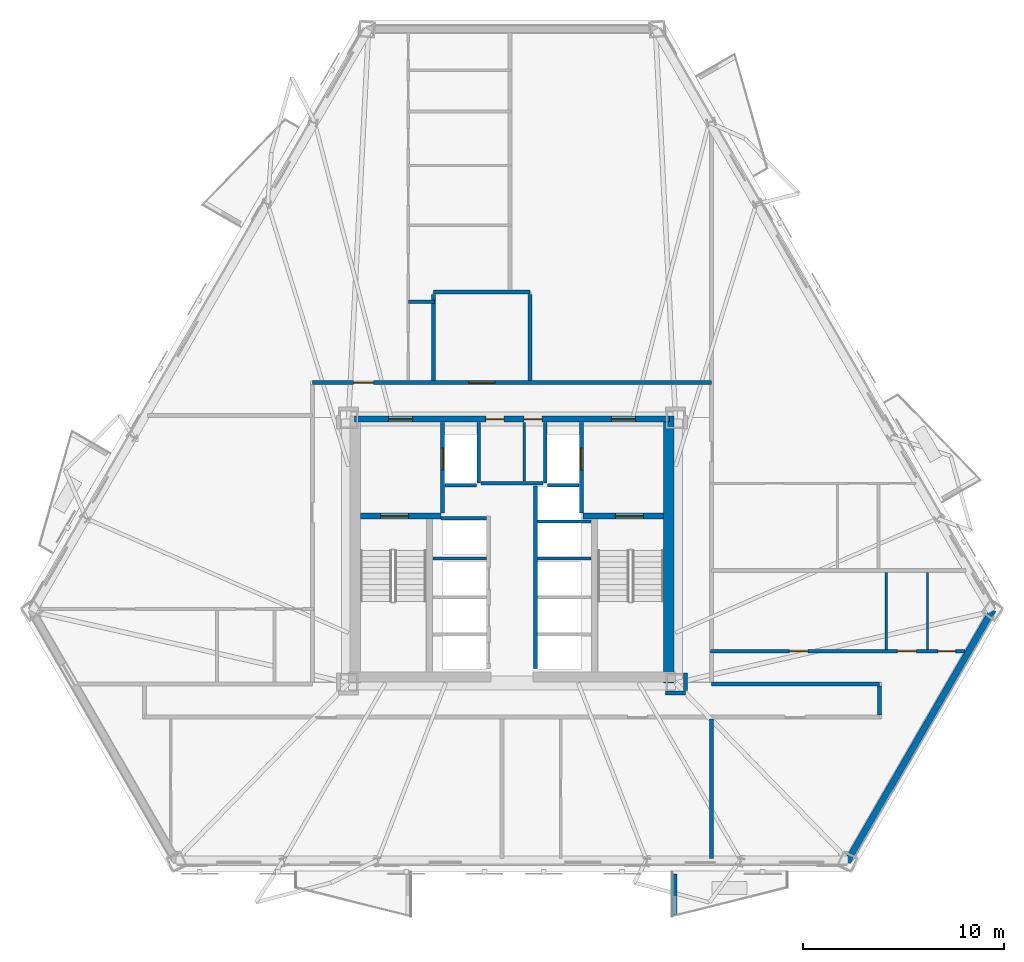
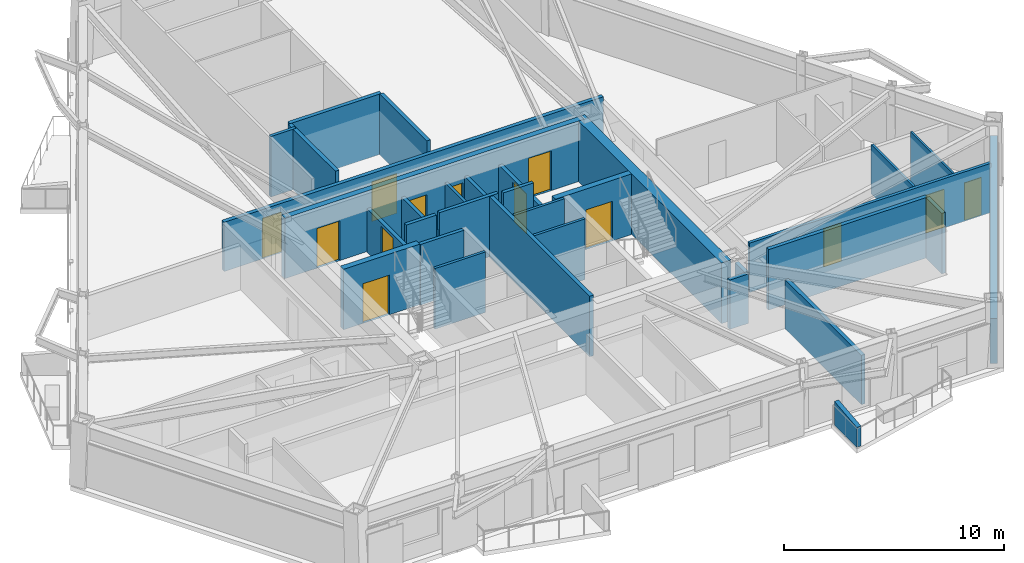
# One storey, part 4 of 10: 32 walls, 13 doors, 13 openings.
"""IFC4 building model written with IfcOpenShell, lengths in metres."""

from ifc_helpers import new_model, si_unit, direction, frame, frame_2d, origin, place, context, subcontext, project, spatial, polyline, rectangle, outline, extrude, material, layer, layer_set, type_object, element, fill, save


model = new_model("IFC4")

# Units and contexts
model_context = context("Model", 3, precision=1e-05, world=origin(), true_north=direction((0.0, 1.0)))
body_context = subcontext(model_context, "Body", "Model", "MODEL_VIEW")
ifc_project = project(units=[si_unit("LENGTHUNIT", "METRE"), si_unit("AREAUNIT", "SQUARE_METRE"), si_unit("VOLUMEUNIT", "CUBIC_METRE"), si_unit("PLANEANGLEUNIT", "RADIAN"), si_unit("MASSUNIT", "GRAM", prefix="KILO")], contexts=[model_context])

# Site, building, storey
site_placement = place(None, origin())
site = spatial("IfcSite", under=ifc_project, at=site_placement, CompositionType="ELEMENT")
building_placement = place(site_placement, origin())
building = spatial("IfcBuilding", under=site, at=building_placement, Name="Oramaril Tower", CompositionType="ELEMENT")
storey_placement = place(building_placement, frame((0.0, 0.0, 52.5)))
storey = spatial("IfcBuildingStorey", under=building, at=storey_placement, Name="L13", CompositionType="ELEMENT", Elevation=52.5)

# Walls
ifc_material_1 = material(Name="Warm Cream Limestone", Category="masonry")
ifc_layer_1 = layer(ifc_material_1, 0.340087890625)
ifc_layer_set_1 = layer_set([ifc_layer_1], Name="WT-EXT34")
wall_type_1 = type_object("IfcWallType", Name="WT-EXT34", PredefinedType="SOLIDWALL", material=ifc_layer_set_1)
wall_1_placement = place(storey_placement, frame((54.200927734375, 2.07763671875, 0.0), z_axis=(0.0, 0.0, 1.0), x_axis=(0.49999957979, 0.866025646392, 0.0)))
element("IfcWall", 1, at=wall_1_placement, inside=storey, type_object=wall_type_1, Name="L13 Tower Limestone Facade Wall 3M", PredefinedType="SOLIDWALL", context=body_context, shape_type="SweptSolid", body=[
    extrude(rectangle(XDim=14.5146484375, YDim=0.340087890625, at=frame_2d((7.25732421875, 0.0))), origin(), (0.0, 0.0, 1.0), 2.493896484375),
])
ifc_material_2 = material(Name="Concrete C40/50", Category="concrete")
ifc_layer_2 = layer(ifc_material_2, 0.22998046875)
ifc_layer_set_2 = layer_set([ifc_layer_2], Name="WT-PRP23")
wall_type_2 = type_object("IfcWallType", Name="WT-PRP23", PredefinedType="PARAPET", material=ifc_layer_set_2)
wall_2_placement = place(storey_placement, frame((45.596435546875, 1.479736328125, 0.0), z_axis=(0.0, 0.0, 1.0), x_axis=(0.0, -1.0, 0.0)))
element("IfcWall", 2, at=wall_2_placement, inside=storey, type_object=wall_type_2, Name="L13 Trapezoidal Balcony Frame Cheek L13-BAL-S2-L", PredefinedType="PARAPET", context=body_context, shape_type="SweptSolid", body=[
    extrude(outline(polyline([(0.0, 0.0), (2.0419921875, 0.0), (2.0419921875, 1.10009765625), (0.0, 1.320068359375), (0.0, 0.0)])), frame((0.0, 0.114990234375, 0.0), z_axis=(0.0, -1.0, 0.0), x_axis=(1.0, 0.0, 0.0)), (0.0, 0.0, 1.0), 0.22998046875),
])
ifc_material_3 = material(Name="Acoustic Gypsum Board Partition")
ifc_layer_3 = layer(ifc_material_3, 0.10009765625)
ifc_layer_set_3 = layer_set([ifc_layer_3], Name="WT-PT10")
wall_type_3 = type_object("IfcWallType", Name="WT-PT10", PredefinedType="PARTITIONING", material=ifc_layer_set_3)
wall_3_placement = place(storey_placement, frame((58.199951171875, 12.6640625, 0.0), z_axis=(0.0, 0.0, 1.0), x_axis=(0.0, 1.0, 0.0)))
element("IfcWall", 3, at=wall_3_placement, inside=storey, type_object=wall_type_3, Name="L13 Interior Partition PT-10", PredefinedType="PARTITIONING", context=body_context, shape_type="SweptSolid", body=[
    extrude(rectangle(XDim=3.83203125, YDim=0.10009765625, at=frame_2d((1.916015625, 0.0))), origin(), (0.0, 0.0, 1.0), 2.738037109375),
])
ifc_material_4 = material(Name="Acoustic Gypsum Board Partition")
ifc_layer_4 = layer(ifc_material_4, 0.1201171875)
ifc_layer_set_4 = layer_set([ifc_layer_4], Name="WT-PT12")
wall_type_4 = type_object("IfcWallType", Name="WT-PT12", PredefinedType="PARTITIONING", material=ifc_layer_set_4)
wall_4_placement = place(storey_placement, frame((56.14990234375, 12.6640625, 0.0), z_axis=(0.0, 0.0, 1.0), x_axis=(0.0, 1.0, 0.0)))
element("IfcWall", 4, at=wall_4_placement, inside=storey, type_object=wall_type_4, Name="L13 Interior Partition PT-12", PredefinedType="PARTITIONING", context=body_context, shape_type="SweptSolid", body=[
    extrude(rectangle(XDim=3.83203125, YDim=0.1201171875, at=frame_2d((1.916015625, 0.0))), origin(), (0.0, 0.0, 1.0), 2.738037109375),
])
ifc_material_5 = material(Name="Acoustic Gypsum Board Partition")
ifc_layer_5 = layer(ifc_material_5, 0.139892578125)
ifc_layer_set_5 = layer_set([ifc_layer_5], Name="WT-PT14")
wall_type_5 = type_object("IfcWallType", Name="WT-PT14", PredefinedType="PARTITIONING", material=ifc_layer_set_5)
for number, where, z_axis, x_axis, name in (
    (5, (33.56005859375, 17.199951171875, 0.0), (0.0, 0.0, 1.0), (1.0, 0.0, 0.0), "L13 West Lift Divider"),
    (6, (38.780029296875, 17.199951171875, 0.0), (0.0, 0.0, 1.0), (1.0, 0.0, 0.0), "L13 East Lift Divider"),
    (7, (38.780029296875, 19.050048828125, 0.0), (0.0, 0.0, 1.0), (1.0, 0.0, 0.0), "L13 East Lift Divider"),
):
    element("IfcWall", number, at=place(storey_placement, frame(where, z_axis=z_axis, x_axis=x_axis)), inside=storey, type_object=wall_type_5, Name=name, PredefinedType="PARTITIONING", context=body_context, shape_type="SweptSolid", body=[
        extrude(rectangle(XDim=2.659912109375, YDim=0.139892578125, at=frame_2d((1.330078125, 0.0))), origin(), (0.0, 0.0, 1.0), 3.360107421875),
    ])
wall_5_placement = place(storey_placement, frame((38.110107421875, 21.06005859375, 0.0), z_axis=(0.0, 0.0, 1.0), x_axis=(0.0, 1.0, 0.0)))
element("IfcWall", 8, at=wall_5_placement, inside=storey, type_object=wall_type_5, Name="L13 Core Service Divider", PredefinedType="PARTITIONING", context=body_context, shape_type="SweptSolid", body=[
    extrude(rectangle(XDim=2.919921875, YDim=0.139892578125, at=frame_2d((1.4599609375, 0.0))), origin(), (0.0, 0.0, 1.0), 2.39990234375),
])

# Wall, openings, doors
ifc_material_6 = material(Name="Acoustic Gypsum Board Partition")
ifc_layer_6 = layer(ifc_material_6, 0.159912109375)
ifc_layer_set_6 = layer_set([ifc_layer_6], Name="WT-PT16")
wall_type_6 = type_object("IfcWallType", Name="WT-PT16", PredefinedType="PARTITIONING", material=ifc_layer_set_6)
wall_6_placement = place(storey_placement, frame((47.39990234375, 12.580078125, 0.0), z_axis=(0.0, 0.0, 1.0), x_axis=(1.0, 0.0, 0.0)))
wall_6 = element("IfcWall", 9, at=wall_6_placement, inside=storey, type_object=wall_type_6, Name="L13 Interior Partition PT-16", PredefinedType="PARTITIONING", context=body_context, shape_type="SweptSolid", body=[
    extrude(rectangle(XDim=12.66357421875, YDim=0.159912109375, at=frame_2d((6.331787109375, 0.0))), origin(), (0.0, 0.0, 1.0), 2.738037109375),
])
opening_1_placement = place(wall_6_placement, frame((3.92431640625, 0.0, 0.0)))
opening_1 = element("IfcOpeningElement", 10, at=opening_1_placement, cuts=wall_6, Name="Opening D-L13-04", PredefinedType="OPENING", context=body_context, shape_type="SweptSolid", body=[
    extrude(rectangle(XDim=0.919921875, YDim=2.1201171875, at=frame_2d((0.4599609375, 1.06005859375))), frame((0.0, 0.080078125, 0.0), z_axis=(0.0, -1.0, 0.0), x_axis=(1.0, 0.0, 0.0)), (0.0, 0.0, 1.0), 0.159912109375),
])
opening_2_placement = place(wall_6_placement, frame((9.298828125, 0.0, 0.0)))
opening_2 = element("IfcOpeningElement", 11, at=opening_2_placement, cuts=wall_6, Name="Opening D-L13-05", PredefinedType="OPENING", context=body_context, shape_type="SweptSolid", body=[
    extrude(rectangle(XDim=0.949951171875, YDim=2.10009765625, at=frame_2d((0.47509765625, 1.050048828125))), frame((0.0, 0.080078125, 0.0), z_axis=(0.0, -1.0, 0.0), x_axis=(1.0, 0.0, 0.0)), (0.0, 0.0, 1.0), 0.159912109375),
])
opening_3_placement = place(wall_6_placement, frame((11.31884765625, 0.0, 0.0)))
opening_3 = element("IfcOpeningElement", 12, at=opening_3_placement, cuts=wall_6, Name="Opening D-L13-06", PredefinedType="OPENING", context=body_context, shape_type="SweptSolid", body=[
    extrude(rectangle(XDim=0.8798828125, YDim=2.080078125, at=frame_2d((0.43994140625, 1.0400390625))), frame((0.0, 0.080078125, 0.0), z_axis=(0.0, -1.0, 0.0), x_axis=(1.0, 0.0, 0.0)), (0.0, 0.0, 1.0), 0.159912109375),
])
ifc_material_7 = material(Name="FSC Brazilian Freijo Hardwood", Category="wood")
door_type_1 = type_object("IfcDoorType", Name="DT-BATH", OperationType="NOTDEFINED", PredefinedType="DOOR", material=ifc_material_7)
door_1_placement = place(opening_3_placement, origin())
door_1 = element("IfcDoor", 13, at=door_1_placement, inside=storey, type_object=door_type_1, Name="L13 Flat L13-U4 Bathroom Door D-L13-06", OperationType="SINGLE_SWING_LEFT", OverallHeight=2.080078125, OverallWidth=0.8798828125, PredefinedType="DOOR", context=body_context, shape_type="SweptSolid", body=[
    extrude(rectangle(XDim=0.8798828125, YDim=2.080078125, at=frame_2d((0.43994140625, 1.0400390625))), frame((0.0, 0.02490234375, 0.0), z_axis=(0.0, -1.0, 0.0), x_axis=(1.0, 0.0, 0.0)), (0.0, 0.0, 1.0), 0.050048828125),
])
fill(opening_3, door_1)
ifc_material_8 = material(Name="FSC Brazilian Freijo Hardwood", Category="wood")
door_type_2 = type_object("IfcDoorType", Name="DT-BED", OperationType="NOTDEFINED", PredefinedType="DOOR", material=ifc_material_8)
door_2_placement = place(opening_1_placement, origin())
door_2 = element("IfcDoor", 14, at=door_2_placement, inside=storey, type_object=door_type_2, Name="L13 Flat L13-U4 Master Bedroom Door D-L13-04", OperationType="SINGLE_SWING_LEFT", OverallHeight=2.1201171875, OverallWidth=0.919921875, PredefinedType="DOOR", context=body_context, shape_type="SweptSolid", body=[
    extrude(rectangle(XDim=0.919921875, YDim=2.1201171875, at=frame_2d((0.4599609375, 1.06005859375))), frame((0.0, 0.02490234375, 0.0), z_axis=(0.0, -1.0, 0.0), x_axis=(1.0, 0.0, 0.0)), (0.0, 0.0, 1.0), 0.050048828125),
])
fill(opening_1, door_2)
ifc_material_9 = material(Name="FSC Brazilian Freijo Hardwood", Category="wood")
door_type_3 = type_object("IfcDoorType", Name="DT-STDY", OperationType="NOTDEFINED", PredefinedType="DOOR", material=ifc_material_9)
door_3_placement = place(opening_2_placement, origin())
door_3 = element("IfcDoor", 15, at=door_3_placement, inside=storey, type_object=door_type_3, Name="L13 Flat L13-U4 Kitchen Door D-L13-05", OperationType="SINGLE_SWING_RIGHT", OverallHeight=2.10009765625, OverallWidth=0.949951171875, PredefinedType="DOOR", context=body_context, shape_type="SweptSolid", body=[
    extrude(rectangle(XDim=0.949951171875, YDim=2.10009765625, at=frame_2d((0.47509765625, 1.050048828125))), frame((0.0, 0.02490234375, 0.0), z_axis=(0.0, -1.0, 0.0), x_axis=(1.0, 0.0, 0.0)), (0.0, 0.0, 1.0), 0.050048828125),
])
fill(opening_2, door_3)

# Walls
wall_7_placement = place(storey_placement, frame((32.331787109375, 30.0, 0.0), z_axis=(0.0, 0.0, 1.0), x_axis=(1.0, 0.0, 0.0)))
element("IfcWall", 16, at=wall_7_placement, inside=storey, type_object=wall_type_6, Name="L13 Interior Partition PT-16", PredefinedType="PARTITIONING", context=body_context, shape_type="SweptSolid", body=[
    extrude(rectangle(XDim=1.318115234375, YDim=0.159912109375, at=frame_2d((0.6591796875, 0.0))), origin(), (0.0, 0.0, 1.0), 3.360107421875),
])
ifc_material_10 = material(Name="Autoclaved Cellular Concrete Block", Category="concrete")
ifc_layer_7 = layer(ifc_material_10, 0.179931640625)
ifc_layer_set_7 = layer_set([ifc_layer_7], Name="WT-PT18")
wall_type_7 = type_object("IfcWallType", Name="WT-PT18", PredefinedType="PARTITIONING", material=ifc_layer_set_7)
wall_8_placement = place(storey_placement, frame((35.840087890625, 20.9599609375, 0.0), z_axis=(0.0, 0.0, 1.0), x_axis=(0.0, 1.0, 0.0)))
element("IfcWall", 17, at=wall_8_placement, inside=storey, type_object=wall_type_7, Name="L13 FL-1 East Shaft Wall", PredefinedType="PARTITIONING", context=body_context, shape_type="SweptSolid", body=[
    extrude(rectangle(XDim=3.02001953125, YDim=0.179931640625, at=frame_2d((1.510009765625, 0.0))), origin(), (0.0, 0.0, 1.0), 2.39990234375),
])
wall_9_placement = place(storey_placement, frame((34.159912109375, 20.860107421875, 0.0), z_axis=(0.0, 0.0, 1.0), x_axis=(1.0, 0.0, 0.0)))
element("IfcWall", 18, at=wall_9_placement, inside=storey, type_object=wall_type_7, Name="L13 FL-1 South Shaft Wall", PredefinedType="PARTITIONING", context=body_context, shape_type="SweptSolid", body=[
    extrude(rectangle(XDim=1.580078125, YDim=0.179931640625, at=frame_2d((0.7900390625, 0.0))), origin(), (0.0, 0.0, 1.0), 3.360107421875),
])
wall_10_placement = place(storey_placement, frame((39.159912109375, 20.9599609375, 0.0), z_axis=(0.0, 0.0, 1.0), x_axis=(0.0, 1.0, 0.0)))
element("IfcWall", 19, at=wall_10_placement, inside=storey, type_object=wall_type_7, Name="L13 FL-2 West Shaft Wall", PredefinedType="PARTITIONING", context=body_context, shape_type="SweptSolid", body=[
    extrude(rectangle(XDim=3.02001953125, YDim=0.179931640625, at=frame_2d((1.510009765625, 0.0))), origin(), (0.0, 0.0, 1.0), 2.39990234375),
])
wall_11_placement = place(storey_placement, frame((39.260009765625, 20.860107421875, 0.0), z_axis=(0.0, 0.0, 1.0), x_axis=(1.0, 0.0, 0.0)))
element("IfcWall", 20, at=wall_11_placement, inside=storey, type_object=wall_type_7, Name="L13 FL-2 South Shaft Wall", PredefinedType="PARTITIONING", context=body_context, shape_type="SweptSolid", body=[
    extrude(rectangle(XDim=1.580078125, YDim=0.179931640625, at=frame_2d((0.7900390625, 0.0))), origin(), (0.0, 0.0, 1.0), 3.360107421875),
])
wall_12_placement = place(storey_placement, frame((33.949951171875, 19.199951171875, 0.0), z_axis=(0.0, 0.0, 1.0), x_axis=(1.0, 0.0, 0.0)))
element("IfcWall", 21, at=wall_12_placement, inside=storey, type_object=wall_type_7, Name="L13 High-Rise Lift H1 North Shaft Wall", PredefinedType="PARTITIONING", context=body_context, shape_type="SweptSolid", body=[
    extrude(rectangle(XDim=2.27001953125, YDim=0.179931640625, at=frame_2d((1.135009765625, 0.0))), origin(), (0.0, 0.0, 1.0), 3.360107421875),
])
wall_13_placement = place(storey_placement, frame((35.949951171875, 20.949951171875, 0.0), z_axis=(0.0, 0.0, 1.0), x_axis=(1.0, 0.0, 0.0)))
element("IfcWall", 22, at=wall_13_placement, inside=storey, type_object=wall_type_7, Name="L13 Lift Lobby North Partition", PredefinedType="PARTITIONING", context=body_context, shape_type="SweptSolid", body=[
    extrude(rectangle(XDim=3.10009765625, YDim=0.179931640625, at=frame_2d((1.550048828125, 0.0))), origin(), (0.0, 0.0, 1.0), 3.360107421875),
])
ifc_material_11 = material(Name="Autoclaved Cellular Concrete Block", Category="concrete")
ifc_layer_8 = layer(ifc_material_11, 0.199951171875)
ifc_layer_set_8 = layer_set([ifc_layer_8], Name="WT-PT20")
wall_type_8 = type_object("IfcWallType", Name="WT-PT20", PredefinedType="PARTITIONING", material=ifc_layer_set_8)
wall_14_placement = place(storey_placement, frame((45.159912109375, 10.510009765625, 0.0), z_axis=(0.0, 0.0, 1.0), x_axis=(1.0, 0.0, 0.0)))
element("IfcWall", 23, at=wall_14_placement, inside=storey, type_object=wall_type_8, Name="L13 Interior Partition PT-20", PredefinedType="PARTITIONING", context=body_context, shape_type="SweptSolid", body=[
    extrude(rectangle(XDim=0.97998046875, YDim=0.199951171875, at=frame_2d((0.489990234375, 0.0))), origin(), (0.0, 0.0, 1.0), 2.738037109375),
])
wall_15_placement = place(storey_placement, frame((47.449951171875, 10.949951171875, 0.0), z_axis=(0.0, 0.0, 1.0), x_axis=(1.0, 0.0, 0.0)))
element("IfcWall", 24, at=wall_15_placement, inside=storey, type_object=wall_type_8, Name="L13 Interior Partition PT-20", PredefinedType="PARTITIONING", context=body_context, shape_type="SweptSolid", body=[
    extrude(rectangle(XDim=8.35009765625, YDim=0.199951171875, at=frame_2d((4.175048828125, 0.0))), origin(), (0.0, 0.0, 1.0), 3.360107421875),
])

# Wall, openings, doors
wall_16_placement = place(storey_placement, frame((27.550048828125, 25.969970703125, 0.0), z_axis=(0.0, 0.0, 1.0), x_axis=(1.0, 0.0, 0.0)))
wall_16 = element("IfcWall", 25, at=wall_16_placement, inside=storey, type_object=wall_type_8, Name="L13 Interior Partition PT-20", PredefinedType="PARTITIONING", context=body_context, shape_type="SweptSolid", body=[
    extrude(rectangle(XDim=19.89990234375, YDim=0.199951171875, at=frame_2d((9.949951171875, 0.0))), origin(), (0.0, 0.0, 1.0), 2.738037109375),
])
opening_4_placement = place(wall_16_placement, frame((2.0595703125, 0.0, 0.0)))
opening_4 = element("IfcOpeningElement", 26, at=opening_4_placement, cuts=wall_16, Name="Opening D-L13-13", PredefinedType="OPENING", context=body_context, shape_type="SweptSolid", body=[
    extrude(rectangle(XDim=1.0, YDim=2.179931640625, at=frame_2d((0.5, 1.08984375))), frame((0.0, 0.10009765625, 0.0), z_axis=(0.0, -1.0, 0.0), x_axis=(1.0, 0.0, 0.0)), (0.0, 0.0, 1.0), 0.199951171875),
])
opening_5_placement = place(wall_16_placement, frame((7.800048828125, 0.0, 0.0)))
opening_5 = element("IfcOpeningElement", 27, at=opening_5_placement, cuts=wall_16, Name="Opening D-L13-14", PredefinedType="OPENING", context=body_context, shape_type="SweptSolid", body=[
    extrude(rectangle(XDim=1.300048828125, YDim=2.199951171875, at=frame_2d((0.64990234375, 1.10009765625))), frame((0.0, 0.10009765625, 0.0), z_axis=(0.0, -1.0, 0.0), x_axis=(1.0, 0.0, 0.0)), (0.0, 0.0, 1.0), 0.199951171875),
])
ifc_material_12 = material(Name="FSC Brazilian Freijo Hardwood", Category="wood")
door_type_4 = type_object("IfcDoorType", Name="DT-APT", OperationType="NOTDEFINED", PredefinedType="DOOR", material=ifc_material_12)
door_4_placement = place(opening_4_placement, origin())
door_4 = element("IfcDoor", 28, at=door_4_placement, inside=storey, type_object=door_type_4, Name="L13 Flat L13-U6 Penthouse Living and Dining Room Door D-L13-13", OperationType="SINGLE_SWING_RIGHT", OverallHeight=2.179931640625, OverallWidth=1.0, PredefinedType="DOOR", context=body_context, shape_type="SweptSolid", body=[
    extrude(rectangle(XDim=1.0, YDim=2.179931640625, at=frame_2d((0.5, 1.08984375))), frame((0.0, 0.02490234375, 0.0), z_axis=(0.0, -1.0, 0.0), x_axis=(1.0, 0.0, 0.0)), (0.0, 0.0, 1.0), 0.050048828125),
])
fill(opening_4, door_4)
ifc_material_13 = material(Name="FSC Brazilian Freijo Hardwood", Category="wood")
door_type_5 = type_object("IfcDoorType", Name="DT-COM", OperationType="NOTDEFINED", PredefinedType="DOOR", material=ifc_material_13)
door_5_placement = place(opening_5_placement, origin())
door_5 = element("IfcDoor", 29, at=door_5_placement, inside=storey, type_object=door_type_5, Name="L13 L13 Residents Reading Library Door D-L13-14", OperationType="SINGLE_SWING_LEFT", OverallHeight=2.199951171875, OverallWidth=1.300048828125, PredefinedType="DOOR", context=body_context, shape_type="SweptSolid", body=[
    extrude(rectangle(XDim=1.300048828125, YDim=2.199951171875, at=frame_2d((0.64990234375, 1.10009765625))), frame((0.0, 0.02490234375, 0.0), z_axis=(0.0, -1.0, 0.0), x_axis=(1.0, 0.0, 0.0)), (0.0, 0.0, 1.0), 0.050048828125),
])
fill(opening_5, door_5)

# Walls
wall_17_placement = place(storey_placement, frame((33.60009765625, 30.469970703125, 0.0), z_axis=(0.0, 0.0, 1.0), x_axis=(1.0, 0.0, 0.0)))
element("IfcWall", 30, at=wall_17_placement, inside=storey, type_object=wall_type_8, Name="L13 Interior Partition PT-20", PredefinedType="PARTITIONING", context=body_context, shape_type="SweptSolid", body=[
    extrude(rectangle(XDim=4.7998046875, YDim=0.199951171875, at=frame_2d((2.39990234375, 0.0))), origin(), (0.0, 0.0, 1.0), 3.360107421875),
])
for number, where, z_axis, x_axis, name in (
    (31, (33.60009765625, 26.073974609375, 0.0), (0.0, 0.0, 1.0), (0.0, 1.0, 0.0), "L13 Interior Partition PT-20"),
    (32, (38.39990234375, 26.073974609375, 0.0), (0.0, 0.0, 1.0), (0.0, 1.0, 0.0), "L13 Interior Partition PT-20"),
):
    element("IfcWall", number, at=place(storey_placement, frame(where, z_axis=z_axis, x_axis=x_axis)), inside=storey, type_object=wall_type_8, Name=name, PredefinedType="PARTITIONING", context=body_context, shape_type="SweptSolid", body=[
        extrude(rectangle(XDim=4.2919921875, YDim=0.199951171875, at=frame_2d((2.14599609375, 0.0))), origin(), (0.0, 0.0, 1.0), 3.360107421875),
    ])
wall_18_placement = place(storey_placement, frame((46.14990234375, 10.614013671875, 0.0), z_axis=(0.0, 0.0, 1.0), x_axis=(0.0, 1.0, 0.0)))
element("IfcWall", 33, at=wall_18_placement, inside=storey, type_object=wall_type_8, Name="L13 Interior Partition PT-20", PredefinedType="PARTITIONING", context=body_context, shape_type="SweptSolid", body=[
    extrude(rectangle(XDim=0.881103515625, YDim=0.199951171875, at=frame_2d((0.4404296875, 0.0))), origin(), (0.0, 0.0, 1.0), 2.738037109375),
])
wall_19_placement = place(storey_placement, frame((47.449951171875, 2.251708984375, 0.0), z_axis=(0.0, 0.0, 1.0), x_axis=(0.0, 1.0, 0.0)))
element("IfcWall", 34, at=wall_19_placement, inside=storey, type_object=wall_type_8, Name="L13 Interior Partition PT-20", PredefinedType="PARTITIONING", context=body_context, shape_type="SweptSolid", body=[
    extrude(rectangle(XDim=6.9443359375, YDim=0.199951171875, at=frame_2d((3.47216796875, 0.0))), origin(), (0.0, 0.0, 1.0), 2.738037109375),
])
wall_20_placement = place(storey_placement, frame((55.800048828125, 9.404052734375, 0.0), z_axis=(0.0, 0.0, 1.0), x_axis=(0.0, 1.0, 0.0)))
element("IfcWall", 35, at=wall_20_placement, inside=storey, type_object=wall_type_8, Name="L13 Interior Partition PT-20", PredefinedType="PARTITIONING", context=body_context, shape_type="SweptSolid", body=[
    extrude(rectangle(XDim=1.44189453125, YDim=0.199951171875, at=frame_2d((0.720947265625, 0.0))), origin(), (0.0, 0.0, 1.0), 3.360107421875),
])

# Wall, openings, doors
ifc_material_14 = material(Name="Concrete C50/60", Category="concrete")
ifc_layer_9 = layer(ifc_material_14, 0.300048828125)
ifc_layer_set_9 = layer_set([ifc_layer_9], Name="WT-SH30")
wall_type_9 = type_object("IfcWallType", Name="WT-SH30", PredefinedType="SHEAR", material=ifc_layer_set_9)
wall_21_placement = place(storey_placement, frame((29.64990234375, 24.14990234375, 0.0), z_axis=(0.0, 0.0, 1.0), x_axis=(1.0, 0.0, 0.0)))
wall_21 = element("IfcWall", 36, at=wall_21_placement, inside=storey, type_object=wall_type_9, Name="L13 Core Shear Wall CW-N", PredefinedType="SHEAR", context=body_context, shape_type="SweptSolid", body=[
    extrude(rectangle(XDim=15.7001953125, YDim=0.300048828125, at=frame_2d((7.85009765625, 0.0))), origin(), (0.0, 0.0, 1.0), 3.360107421875),
])
opening_6_placement = place(wall_21_placement, frame((1.699951171875, 0.0, 0.0)))
opening_6 = element("IfcOpeningElement", 37, at=opening_6_placement, cuts=wall_21, Name="Opening D-L13-FFL1", PredefinedType="OPENING", context=body_context, shape_type="SweptSolid", body=[
    extrude(rectangle(XDim=1.199951171875, YDim=2.199951171875, at=frame_2d((0.60009765625, 1.10009765625))), frame((0.0, 0.14990234375, 0.0), z_axis=(0.0, -1.0, 0.0), x_axis=(1.0, 0.0, 0.0)), (0.0, 0.0, 1.0), 0.300048828125),
])
opening_7_placement = place(wall_21_placement, frame((12.800048828125, 0.0, 0.0)))
opening_7 = element("IfcOpeningElement", 38, at=opening_7_placement, cuts=wall_21, Name="Opening D-L13-FFL2", PredefinedType="OPENING", context=body_context, shape_type="SweptSolid", body=[
    extrude(rectangle(XDim=1.199951171875, YDim=2.199951171875, at=frame_2d((0.60009765625, 1.10009765625))), frame((0.0, 0.14990234375, 0.0), z_axis=(0.0, -1.0, 0.0), x_axis=(1.0, 0.0, 0.0)), (0.0, 0.0, 1.0), 0.300048828125),
])
opening_8_placement = place(wall_21_placement, frame((6.550048828125, 0.0, 0.0)))
opening_8 = element("IfcOpeningElement", 39, at=opening_8_placement, cuts=wall_21, Name="Opening D-L13-SV1", PredefinedType="OPENING", context=body_context, shape_type="SweptSolid", body=[
    extrude(rectangle(XDim=0.89990234375, YDim=2.050048828125, at=frame_2d((0.449951171875, 1.02490234375))), frame((0.0, 0.14990234375, 0.0), z_axis=(0.0, -1.0, 0.0), x_axis=(1.0, 0.0, 0.0)), (0.0, 0.0, 1.0), 0.300048828125),
])
opening_9_placement = place(wall_21_placement, frame((8.449951171875, 0.0, 0.0)))
opening_9 = element("IfcOpeningElement", 40, at=opening_9_placement, cuts=wall_21, Name="Opening D-L13-SV2", PredefinedType="OPENING", context=body_context, shape_type="SweptSolid", body=[
    extrude(rectangle(XDim=0.89990234375, YDim=2.050048828125, at=frame_2d((0.449951171875, 1.02490234375))), frame((0.0, 0.14990234375, 0.0), z_axis=(0.0, -1.0, 0.0), x_axis=(1.0, 0.0, 0.0)), (0.0, 0.0, 1.0), 0.300048828125),
])
ifc_material_15 = material(Name="Painted Galvanised Steel", Category="steel")
door_type_6 = type_object("IfcDoorType", Name="DT-FFL", OperationType="NOTDEFINED", PredefinedType="DOOR", material=ifc_material_15)
door_6_placement = place(opening_6_placement, origin())
door_6 = element("IfcDoor", 41, at=door_6_placement, inside=storey, type_object=door_type_6, Name="L13 Firefighting Lobby 1 Fire Door", OperationType="SINGLE_SWING_LEFT", OverallHeight=2.199951171875, OverallWidth=1.199951171875, PredefinedType="DOOR", context=body_context, shape_type="SweptSolid", body=[
    extrude(rectangle(XDim=1.199951171875, YDim=2.199951171875, at=frame_2d((0.60009765625, 1.10009765625))), frame((0.0, 0.02490234375, 0.0), z_axis=(0.0, -1.0, 0.0), x_axis=(1.0, 0.0, 0.0)), (0.0, 0.0, 1.0), 0.050048828125),
])
fill(opening_6, door_6)
door_7_placement = place(opening_7_placement, origin())
door_7 = element("IfcDoor", 42, at=door_7_placement, inside=storey, type_object=door_type_6, Name="L13 Firefighting Lobby 2 Fire Door", OperationType="SINGLE_SWING_RIGHT", OverallHeight=2.199951171875, OverallWidth=1.199951171875, PredefinedType="DOOR", context=body_context, shape_type="SweptSolid", body=[
    extrude(rectangle(XDim=1.199951171875, YDim=2.199951171875, at=frame_2d((0.60009765625, 1.10009765625))), frame((0.0, 0.02490234375, 0.0), z_axis=(0.0, -1.0, 0.0), x_axis=(1.0, 0.0, 0.0)), (0.0, 0.0, 1.0), 0.050048828125),
])
fill(opening_7, door_7)
ifc_material_16 = material(Name="Painted Galvanised Steel", Category="steel")
door_type_7 = type_object("IfcDoorType", Name="DT-SVC", OperationType="NOTDEFINED", PredefinedType="DOOR", material=ifc_material_16)
door_8_placement = place(opening_8_placement, origin())
door_8 = element("IfcDoor", 43, at=door_8_placement, inside=storey, type_object=door_type_7, Name="L13 Core Service Store 1 Door", OperationType="SINGLE_SWING_LEFT", OverallHeight=2.050048828125, OverallWidth=0.89990234375, PredefinedType="DOOR", context=body_context, shape_type="SweptSolid", body=[
    extrude(rectangle(XDim=0.89990234375, YDim=2.050048828125, at=frame_2d((0.449951171875, 1.02490234375))), frame((0.0, 0.02490234375, 0.0), z_axis=(0.0, -1.0, 0.0), x_axis=(1.0, 0.0, 0.0)), (0.0, 0.0, 1.0), 0.050048828125),
])
fill(opening_8, door_8)
door_9_placement = place(opening_9_placement, origin())
door_9 = element("IfcDoor", 44, at=door_9_placement, inside=storey, type_object=door_type_7, Name="L13 Core Service Store 2 Door", OperationType="SINGLE_SWING_RIGHT", OverallHeight=2.050048828125, OverallWidth=0.89990234375, PredefinedType="DOOR", context=body_context, shape_type="SweptSolid", body=[
    extrude(rectangle(XDim=0.89990234375, YDim=2.050048828125, at=frame_2d((0.449951171875, 1.02490234375))), frame((0.0, 0.02490234375, 0.0), z_axis=(0.0, -1.0, 0.0), x_axis=(1.0, 0.0, 0.0)), (0.0, 0.0, 1.0), 0.050048828125),
])
fill(opening_9, door_9)

# Wall, opening, door
wall_22_placement = place(storey_placement, frame((29.93994140625, 19.31005859375, 0.0), z_axis=(0.0, 0.0, 1.0), x_axis=(1.0, 0.0, 0.0)))
wall_22 = element("IfcWall", 45, at=wall_22_placement, inside=storey, type_object=wall_type_9, Name="L13 Core Shear Wall CW-ST1N", PredefinedType="SHEAR", context=body_context, shape_type="SweptSolid", body=[
    extrude(rectangle(XDim=4.010009765625, YDim=0.300048828125, at=frame_2d((2.0048828125, 0.0))), origin(), (0.0, 0.0, 1.0), 3.360107421875),
])
opening_10_placement = place(wall_22_placement, frame((1.010009765625, 0.0, 0.0)))
opening_10 = element("IfcOpeningElement", 46, at=opening_10_placement, cuts=wall_22, Name="Opening D-L13-ST1", PredefinedType="OPENING", context=body_context, shape_type="SweptSolid", body=[
    extrude(rectangle(XDim=1.39990234375, YDim=2.199951171875, at=frame_2d((0.699951171875, 1.10009765625))), frame((0.0, 0.14990234375, 0.0), z_axis=(0.0, -1.0, 0.0), x_axis=(1.0, 0.0, 0.0)), (0.0, 0.0, 1.0), 0.300048828125),
])
ifc_material_17 = material(Name="Painted Galvanised Steel", Category="steel")
door_type_8 = type_object("IfcDoorType", Name="DT-ST", OperationType="NOTDEFINED", PredefinedType="DOOR", material=ifc_material_17)
door_10_placement = place(opening_10_placement, origin())
door_10 = element("IfcDoor", 47, at=door_10_placement, inside=storey, type_object=door_type_8, Name="L13 Protected Stair ST-1 Fire Door", OperationType="SINGLE_SWING_LEFT", OverallHeight=2.199951171875, OverallWidth=1.39990234375, PredefinedType="DOOR", context=body_context, shape_type="SweptSolid", body=[
    extrude(rectangle(XDim=1.39990234375, YDim=2.199951171875, at=frame_2d((0.699951171875, 1.10009765625))), frame((0.0, 0.02490234375, 0.0), z_axis=(0.0, -1.0, 0.0), x_axis=(1.0, 0.0, 0.0)), (0.0, 0.0, 1.0), 0.050048828125),
])
fill(opening_10, door_10)

wall_23_placement = place(storey_placement, frame((41.050048828125, 19.31005859375, 0.0), z_axis=(0.0, 0.0, 1.0), x_axis=(1.0, 0.0, 0.0)))
wall_23 = element("IfcWall", 48, at=wall_23_placement, inside=storey, type_object=wall_type_9, Name="L13 Core Shear Wall CW-ST2N", PredefinedType="SHEAR", context=body_context, shape_type="SweptSolid", body=[
    extrude(rectangle(XDim=4.010009765625, YDim=0.300048828125, at=frame_2d((2.0048828125, 0.0))), origin(), (0.0, 0.0, 1.0), 3.360107421875),
])
opening_11_placement = place(wall_23_placement, frame((1.60009765625, 0.0, 0.0)))
opening_11 = element("IfcOpeningElement", 49, at=opening_11_placement, cuts=wall_23, Name="Opening D-L13-ST2", PredefinedType="OPENING", context=body_context, shape_type="SweptSolid", body=[
    extrude(rectangle(XDim=1.39990234375, YDim=2.199951171875, at=frame_2d((0.699951171875, 1.10009765625))), frame((0.0, 0.14990234375, 0.0), z_axis=(0.0, -1.0, 0.0), x_axis=(1.0, 0.0, 0.0)), (0.0, 0.0, 1.0), 0.300048828125),
])
door_11_placement = place(opening_11_placement, origin())
door_11 = element("IfcDoor", 50, at=door_11_placement, inside=storey, type_object=door_type_8, Name="L13 Protected Stair ST-2 Fire Door", OperationType="SINGLE_SWING_RIGHT", OverallHeight=2.199951171875, OverallWidth=1.39990234375, PredefinedType="DOOR", context=body_context, shape_type="SweptSolid", body=[
    extrude(rectangle(XDim=1.39990234375, YDim=2.199951171875, at=frame_2d((0.699951171875, 1.10009765625))), frame((0.0, 0.02490234375, 0.0), z_axis=(0.0, -1.0, 0.0), x_axis=(1.0, 0.0, 0.0)), (0.0, 0.0, 1.0), 0.050048828125),
])
fill(opening_11, door_11)

# Wall
ifc_material_18 = material(Name="Concrete C50/60", Category="concrete")
ifc_layer_10 = layer(ifc_material_18, 0.5)
ifc_layer_set_10 = layer_set([ifc_layer_10], Name="WT-SH50")
wall_type_10 = type_object("IfcWallType", Name="WT-SH50", PredefinedType="SHEAR", material=ifc_layer_set_10)
wall_24_placement = place(storey_placement, frame((45.31005859375, 11.0, 0.0), z_axis=(0.0, 0.0, 1.0), x_axis=(0.0, 1.0, 0.0)))
element("IfcWall", 51, at=wall_24_placement, inside=storey, type_object=wall_type_10, Name="L13 Core Shear Wall CW-E", PredefinedType="SHEAR", context=body_context, shape_type="SweptSolid", body=[
    extrude(rectangle(XDim=13.300048828125, YDim=0.5, at=frame_2d((6.64990234375, 0.0))), origin(), (0.0, 0.0, 1.0), 3.360107421875),
])

# Wall, opening, door
ifc_material_19 = material(Name="Autoclaved Cellular Concrete Block", Category="concrete")
ifc_layer_11 = layer(ifc_material_19, 0.199951171875)
ifc_layer_set_11 = layer_set([ifc_layer_11], Name="WT-SHF20")
wall_type_11 = type_object("IfcWallType", Name="WT-SHF20", PredefinedType="PARTITIONING", material=ifc_layer_set_11)
wall_25_placement = place(storey_placement, frame((34.0400390625, 19.47998046875, 0.0), z_axis=(0.0, 0.0, 1.0), x_axis=(0.0, 1.0, 0.0)))
wall_25 = element("IfcWall", 52, at=wall_25_placement, inside=storey, type_object=wall_type_11, Name="L13 FL-1 Lobby Shaft Wall", PredefinedType="PARTITIONING", context=body_context, shape_type="SweptSolid", body=[
    extrude(rectangle(XDim=4.5, YDim=0.199951171875, at=frame_2d((2.25, 0.0))), origin(), (0.0, 0.0, 1.0), 2.39990234375),
])
opening_12_placement = place(wall_25_placement, frame((2.1201171875, 0.0, 0.0)))
opening_12 = element("IfcOpeningElement", 53, at=opening_12_placement, cuts=wall_25, Name="Opening LD-L13-FL-1", PredefinedType="OPENING", context=body_context, shape_type="SweptSolid", body=[
    extrude(rectangle(XDim=1.10009765625, YDim=2.199951171875, at=frame_2d((0.550048828125, 1.10009765625))), frame((0.0, 0.10009765625, 0.0), z_axis=(0.0, -1.0, 0.0), x_axis=(1.0, 0.0, 0.0)), (0.0, 0.0, 1.0), 0.199951171875),
])
ifc_material_20 = material(Name="Stainless Steel 316L", Category="steel")
door_type_9 = type_object("IfcDoorType", Name="DT-LD1", OperationType="NOTDEFINED", PredefinedType="DOOR", material=ifc_material_20)
door_12_placement = place(opening_12_placement, origin())
door_12 = element("IfcDoor", 54, at=door_12_placement, inside=storey, type_object=door_type_9, Name="L13 Lift FL-1 Sliding Landing Door", OperationType="SLIDING_TO_LEFT", OverallHeight=2.199951171875, OverallWidth=1.10009765625, PredefinedType="DOOR", context=body_context, shape_type="SweptSolid", body=[
    extrude(rectangle(XDim=1.10009765625, YDim=2.199951171875, at=frame_2d((0.550048828125, 1.10009765625))), frame((0.0, 0.02490234375, 0.0), z_axis=(0.0, -1.0, 0.0), x_axis=(1.0, 0.0, 0.0)), (0.0, 0.0, 1.0), 0.050048828125),
])
fill(opening_12, door_12)

wall_26_placement = place(storey_placement, frame((40.9599609375, 19.47998046875, 0.0), z_axis=(0.0, 0.0, 1.0), x_axis=(0.0, 1.0, 0.0)))
wall_26 = element("IfcWall", 55, at=wall_26_placement, inside=storey, type_object=wall_type_11, Name="L13 FL-2 Lobby Shaft Wall", PredefinedType="PARTITIONING", context=body_context, shape_type="SweptSolid", body=[
    extrude(rectangle(XDim=4.5, YDim=0.199951171875, at=frame_2d((2.25, 0.0))), origin(), (0.0, 0.0, 1.0), 2.39990234375),
])
opening_13_placement = place(wall_26_placement, frame((2.1201171875, 0.0, 0.0)))
opening_13 = element("IfcOpeningElement", 56, at=opening_13_placement, cuts=wall_26, Name="Opening LD-L13-FL-2", PredefinedType="OPENING", context=body_context, shape_type="SweptSolid", body=[
    extrude(rectangle(XDim=1.10009765625, YDim=2.199951171875, at=frame_2d((0.550048828125, 1.10009765625))), frame((0.0, 0.10009765625, 0.0), z_axis=(0.0, -1.0, 0.0), x_axis=(1.0, 0.0, 0.0)), (0.0, 0.0, 1.0), 0.199951171875),
])
door_13_placement = place(opening_13_placement, origin())
door_13 = element("IfcDoor", 57, at=door_13_placement, inside=storey, type_object=door_type_9, Name="L13 Lift FL-2 Sliding Landing Door", OperationType="SLIDING_TO_RIGHT", OverallHeight=2.199951171875, OverallWidth=1.10009765625, PredefinedType="DOOR", context=body_context, shape_type="SweptSolid", body=[
    extrude(rectangle(XDim=1.10009765625, YDim=2.199951171875, at=frame_2d((0.550048828125, 1.10009765625))), frame((0.0, 0.02490234375, 0.0), z_axis=(0.0, -1.0, 0.0), x_axis=(1.0, 0.0, 0.0)), (0.0, 0.0, 1.0), 0.050048828125),
])
fill(opening_13, door_13)

# Wall
wall_27_placement = place(storey_placement, frame((38.659912109375, 11.719970703125, 0.0), z_axis=(0.0, 0.0, 1.0), x_axis=(0.0, 1.0, 0.0)))
element("IfcWall", 58, at=wall_27_placement, inside=storey, type_object=wall_type_11, Name="L13 East Lift Bank Front Wall", PredefinedType="PARTITIONING", context=body_context, shape_type="SweptSolid", body=[
    extrude(rectangle(XDim=9.10009765625, YDim=0.199951171875, at=frame_2d((4.550048828125, 0.0))), origin(), (0.0, 0.0, 1.0), 3.360107421875),
])

save(model, "model.ifc")
